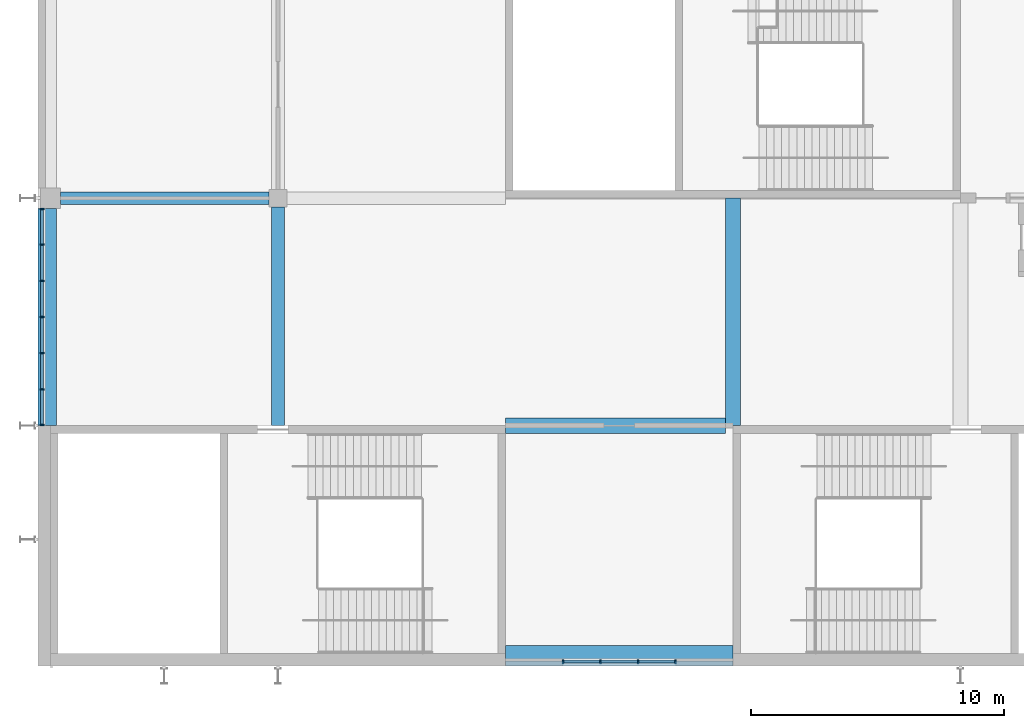
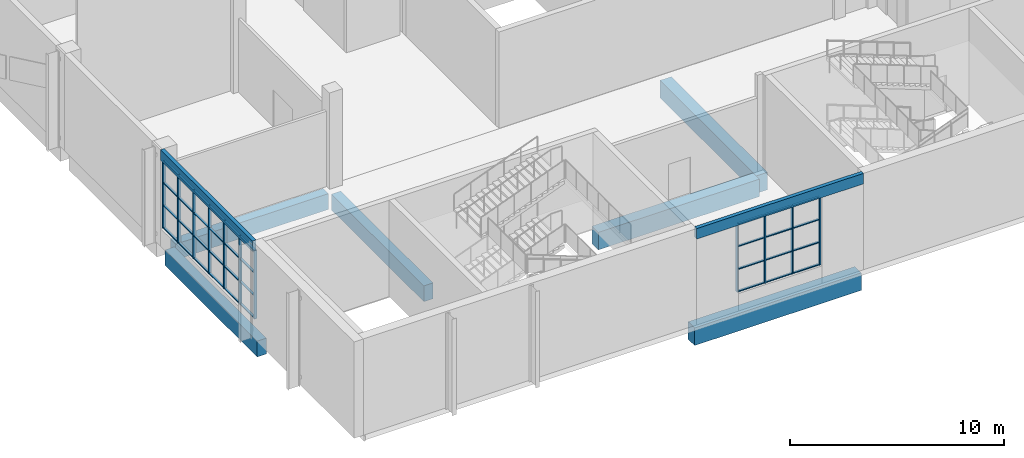
# One storey, part 2 of 84: 47 members, 8 beams, 2 elements without a shape of their own.
"""IFC4 building model written with IfcOpenShell, lengths in metres."""

from ifc_helpers import new_model, si_unit, direction, frame, origin, origin_2d, place, context, subcontext, project, spatial, rectangle, extrude, material, material_profile, profile_set, type_object, element, aggregate, save


model = new_model("IFC4")

# Units and contexts
model_context = context("Model", 3, precision=1e-05, world=origin(), true_north=direction((0.0, 1.0)))
body_context = subcontext(model_context, "Body", "Model", "MODEL_VIEW")
ifc_project = project(units=[si_unit("LENGTHUNIT", "METRE"), si_unit("AREAUNIT", "SQUARE_METRE"), si_unit("VOLUMEUNIT", "CUBIC_METRE"), si_unit("PLANEANGLEUNIT", "RADIAN"), si_unit("MASSUNIT", "GRAM", prefix="KILO")], contexts=[model_context])

# Site, building, storey
site_placement = place(None, origin())
site = spatial("IfcSite", under=ifc_project, at=site_placement, CompositionType="ELEMENT")
building_placement = place(site_placement, origin())
building = spatial("IfcBuilding", under=site, at=building_placement, Name="Silverbay Arena", CompositionType="ELEMENT")
storey_placement = place(building_placement, frame((0.0, 0.0, 28.0)))
storey = spatial("IfcBuildingStorey", under=building, at=storey_placement, Name="L04", CompositionType="ELEMENT", Elevation=28.0)

# Curtain wall, members
ifc_material_1 = material(Name="Aluminium framed curtain wall", Category="aluminium")
curtain_wall_type_1 = type_object("IfcCurtainWallType", Name="Curtain wall 4500 x 3900", PredefinedType="NOTDEFINED", material=ifc_material_1)
curtain_wall_1_placement = place(storey_placement, origin())
curtain_wall_1 = element("IfcCurtainWall", 1, at=curtain_wall_1_placement, inside=storey, type_object=curtain_wall_type_1, Name="South curtain wall L04 bay 3", PredefinedType="NOTDEFINED")
ifc_material_2 = material(Name="Aluminium", Category="aluminium")
ifc_material_profile_1 = material_profile(ifc_material_2, rectangle(XDim=0.159912109375, YDim=0.06005859375, at=origin_2d()), Name="Mullion 60 x 160")
ifc_profile_set_1 = profile_set([ifc_material_profile_1], Name="Aluminium")
member_type_1 = type_object("IfcMemberType", Name="Mullion 60 x 160", PredefinedType="MULLION", material=ifc_profile_set_1)
member_1_placement = place(storey_placement, frame((74.280029296875, 17.669921875, 1.0), z_axis=(0.0, 0.0, 1.0), x_axis=(0.0, 1.0, 0.0)))
member_1 = element("IfcMember", 2, at=member_1_placement, type_object=member_type_1, Name="CW15 mullion 1", PredefinedType="MULLION", context=body_context, shape_type="SweptSolid", body=[
    extrude(rectangle(XDim=0.159912109375, YDim=0.06005859375, at=origin_2d()), origin(), (0.0, 0.0, 1.0), 3.89990234375),
])
member_2_placement = place(storey_placement, frame((75.75, 17.669921875, 1.0), z_axis=(0.0, 0.0, 1.0), x_axis=(0.0, 1.0, 0.0)))
member_2 = element("IfcMember", 3, at=member_2_placement, type_object=member_type_1, Name="CW15 mullion 2", PredefinedType="MULLION", context=body_context, shape_type="SweptSolid", body=[
    extrude(rectangle(XDim=0.159912109375, YDim=0.06005859375, at=origin_2d()), origin(), (0.0, 0.0, 1.0), 3.89990234375),
])
member_3_placement = place(storey_placement, frame((77.25, 17.669921875, 1.0), z_axis=(0.0, 0.0, 1.0), x_axis=(0.0, 1.0, 0.0)))
member_3 = element("IfcMember", 4, at=member_3_placement, type_object=member_type_1, Name="CW15 mullion 3", PredefinedType="MULLION", context=body_context, shape_type="SweptSolid", body=[
    extrude(rectangle(XDim=0.159912109375, YDim=0.06005859375, at=origin_2d()), origin(), (0.0, 0.0, 1.0), 3.89990234375),
])
member_4_placement = place(storey_placement, frame((78.719970703125, 17.669921875, 1.0), z_axis=(0.0, 0.0, 1.0), x_axis=(0.0, 1.0, 0.0)))
member_4 = element("IfcMember", 5, at=member_4_placement, type_object=member_type_1, Name="CW15 mullion 4", PredefinedType="MULLION", context=body_context, shape_type="SweptSolid", body=[
    extrude(rectangle(XDim=0.159912109375, YDim=0.06005859375, at=origin_2d()), origin(), (0.0, 0.0, 1.0), 3.89990234375),
])

ifc_material_3 = material(Name="Aluminium framed curtain wall", Category="aluminium")
curtain_wall_type_2 = type_object("IfcCurtainWallType", Name="Curtain wall 8600 x 3900", PredefinedType="NOTDEFINED", material=ifc_material_3)
curtain_wall_2_placement = place(storey_placement, origin())
curtain_wall_2 = element("IfcCurtainWall", 6, at=curtain_wall_2_placement, inside=storey, type_object=curtain_wall_type_2, Name="West curtain wall L04 bay 2", PredefinedType="NOTDEFINED")
member_5_placement = place(storey_placement, frame((53.669921875, 35.570068359375, 1.0), z_axis=(0.0, 0.0, 1.0), x_axis=(1.0, 0.0, 0.0)))
member_5 = element("IfcMember", 7, at=member_5_placement, type_object=member_type_1, Name="CW1 mullion 1", PredefinedType="MULLION", context=body_context, shape_type="SweptSolid", body=[
    extrude(rectangle(XDim=0.159912109375, YDim=0.06005859375, at=origin_2d()), origin(), (0.0, 0.0, 1.0), 3.89990234375),
])
member_6_placement = place(storey_placement, frame((53.669921875, 34.166748046875, 1.0), z_axis=(0.0, 0.0, 1.0), x_axis=(1.0, 0.0, 0.0)))
member_6 = element("IfcMember", 8, at=member_6_placement, type_object=member_type_1, Name="CW1 mullion 2", PredefinedType="MULLION", context=body_context, shape_type="SweptSolid", body=[
    extrude(rectangle(XDim=0.159912109375, YDim=0.06005859375, at=origin_2d()), origin(), (0.0, 0.0, 1.0), 3.89990234375),
])
member_7_placement = place(storey_placement, frame((53.669921875, 32.7333984375, 1.0), z_axis=(0.0, 0.0, 1.0), x_axis=(1.0, 0.0, 0.0)))
member_7 = element("IfcMember", 9, at=member_7_placement, type_object=member_type_1, Name="CW1 mullion 3", PredefinedType="MULLION", context=body_context, shape_type="SweptSolid", body=[
    extrude(rectangle(XDim=0.159912109375, YDim=0.06005859375, at=origin_2d()), origin(), (0.0, 0.0, 1.0), 3.89990234375),
])
member_8_placement = place(storey_placement, frame((53.669921875, 31.300048828125, 1.0), z_axis=(0.0, 0.0, 1.0), x_axis=(1.0, 0.0, 0.0)))
member_8 = element("IfcMember", 10, at=member_8_placement, type_object=member_type_1, Name="CW1 mullion 4", PredefinedType="MULLION", context=body_context, shape_type="SweptSolid", body=[
    extrude(rectangle(XDim=0.159912109375, YDim=0.06005859375, at=origin_2d()), origin(), (0.0, 0.0, 1.0), 3.89990234375),
])
member_9_placement = place(storey_placement, frame((53.669921875, 29.86669921875, 1.0), z_axis=(0.0, 0.0, 1.0), x_axis=(1.0, 0.0, 0.0)))
member_9 = element("IfcMember", 11, at=member_9_placement, type_object=member_type_1, Name="CW1 mullion 5", PredefinedType="MULLION", context=body_context, shape_type="SweptSolid", body=[
    extrude(rectangle(XDim=0.159912109375, YDim=0.06005859375, at=origin_2d()), origin(), (0.0, 0.0, 1.0), 3.89990234375),
])
member_10_placement = place(storey_placement, frame((53.669921875, 28.433349609375, 1.0), z_axis=(0.0, 0.0, 1.0), x_axis=(1.0, 0.0, 0.0)))
member_10 = element("IfcMember", 12, at=member_10_placement, type_object=member_type_1, Name="CW1 mullion 6", PredefinedType="MULLION", context=body_context, shape_type="SweptSolid", body=[
    extrude(rectangle(XDim=0.159912109375, YDim=0.06005859375, at=origin_2d()), origin(), (0.0, 0.0, 1.0), 3.89990234375),
])
member_11_placement = place(storey_placement, frame((53.669921875, 27.030029296875, 1.0), z_axis=(0.0, 0.0, 1.0), x_axis=(1.0, 0.0, 0.0)))
member_11 = element("IfcMember", 13, at=member_11_placement, type_object=member_type_1, Name="CW1 mullion 7", PredefinedType="MULLION", context=body_context, shape_type="SweptSolid", body=[
    extrude(rectangle(XDim=0.159912109375, YDim=0.06005859375, at=origin_2d()), origin(), (0.0, 0.0, 1.0), 3.89990234375),
])

# Beams
ifc_material_4 = material(Name="Concrete Grade C45", Category="concrete")
ifc_material_profile_2 = material_profile(ifc_material_4, rectangle(XDim=0.5, YDim=0.89990234375, at=origin_2d()), Name="RC 500x900")
ifc_profile_set_2 = profile_set([ifc_material_profile_2], Name="Concrete Grade C45")
beam_type_1 = type_object("IfcBeamType", Name="RC beam 500x900", PredefinedType="BEAM", material=ifc_profile_set_2)
beam_1_placement = place(storey_placement, frame((54.39990234375, 36.0, -0.75), z_axis=(1.0, 0.0, 0.0), x_axis=(0.0, 1.0, 0.0)))
element("IfcBeam", 14, at=beam_1_placement, inside=storey, type_object=beam_type_1, Name="Floor beam L04 011", PredefinedType="BEAM", context=body_context, shape_type="SweptSolid", body=[
    extrude(rectangle(XDim=0.5, YDim=0.89990234375, at=origin_2d()), origin(), (0.0, 0.0, 1.0), 8.25),
])
beam_2_placement = place(storey_placement, frame((54.0, 27.0, -0.75), z_axis=(0.0, 1.0, 0.0), x_axis=(-1.0, 0.0, 0.0)))
element("IfcBeam", 15, at=beam_2_placement, inside=storey, type_object=beam_type_1, Name="Floor beam L04 077", PredefinedType="BEAM", context=body_context, shape_type="SweptSolid", body=[
    extrude(rectangle(XDim=0.5, YDim=0.89990234375, at=origin_2d()), origin(), (0.0, 0.0, 1.0), 8.60009765625),
])
beam_3_placement = place(storey_placement, frame((63.0, 27.0, -0.75), z_axis=(0.0, 1.0, 0.0), x_axis=(-1.0, 0.0, 0.0)))
element("IfcBeam", 16, at=beam_3_placement, inside=storey, type_object=beam_type_1, Name="Floor beam L04 085", PredefinedType="BEAM", context=body_context, shape_type="SweptSolid", body=[
    extrude(rectangle(XDim=0.5, YDim=0.89990234375, at=origin_2d()), origin(), (0.0, 0.0, 1.0), 8.64990234375),
])
ifc_material_5 = material(Name="Concrete Grade C45", Category="concrete")
ifc_material_profile_3 = material_profile(ifc_material_5, rectangle(XDim=0.60009765625, YDim=1.0, at=origin_2d()), Name="RC 600x1000")
ifc_profile_set_3 = profile_set([ifc_material_profile_3], Name="Concrete Grade C45")
beam_type_2 = type_object("IfcBeamType", Name="RC beam 600x1000", PredefinedType="BEAM", material=ifc_profile_set_3)
beam_4_placement = place(storey_placement, frame((72.0, 18.0, -0.800048828125), z_axis=(1.0, 0.0, 0.0), x_axis=(0.0, 1.0, 0.0)))
element("IfcBeam", 17, at=beam_4_placement, inside=storey, type_object=beam_type_2, Name="Floor beam L04 001", PredefinedType="BEAM", context=body_context, shape_type="SweptSolid", body=[
    extrude(rectangle(XDim=0.60009765625, YDim=1.0, at=origin_2d()), origin(), (0.0, 0.0, 1.0), 9.0),
])
beam_5_placement = place(storey_placement, frame((72.0, 27.0, -0.800048828125), z_axis=(1.0, 0.0, 0.0), x_axis=(0.0, 1.0, 0.0)))
element("IfcBeam", 18, at=beam_5_placement, inside=storey, type_object=beam_type_2, Name="Floor beam L04 006", PredefinedType="BEAM", context=body_context, shape_type="SweptSolid", body=[
    extrude(rectangle(XDim=0.60009765625, YDim=1.0, at=origin_2d()), origin(), (0.0, 0.0, 1.0), 8.699951171875),
])
beam_6_placement = place(storey_placement, frame((81.0, 27.0, -0.800048828125), z_axis=(0.0, 1.0, 0.0), x_axis=(-1.0, 0.0, 0.0)))
element("IfcBeam", 19, at=beam_6_placement, inside=storey, type_object=beam_type_2, Name="Floor beam L04 093", PredefinedType="BEAM", context=body_context, shape_type="SweptSolid", body=[
    extrude(rectangle(XDim=0.60009765625, YDim=1.0, at=origin_2d()), origin(), (0.0, 0.0, 1.0), 9.0),
])
ifc_material_6 = material(Name="Concrete Grade C45", Category="concrete")
ifc_material_profile_4 = material_profile(ifc_material_6, rectangle(XDim=0.199951171875, YDim=0.60009765625, at=origin_2d()), Name="RC 200x600")
ifc_profile_set_4 = profile_set([ifc_material_profile_4], Name="Concrete Grade C45")
beam_type_3 = type_object("IfcBeamType", Name="RC facade beam 200x600", PredefinedType="SPANDREL", material=ifc_profile_set_4)
beam_7_placement = place(storey_placement, frame((72.0, 17.60009765625, 5.199951171875), z_axis=(1.0, 0.0, 0.0), x_axis=(0.0, 1.0, 0.0)))
element("IfcBeam", 20, at=beam_7_placement, inside=storey, type_object=beam_type_3, Name="Facade beam L04 south", PredefinedType="SPANDREL", context=body_context, shape_type="SweptSolid", body=[
    extrude(rectangle(XDim=0.199951171875, YDim=0.60009765625, at=origin_2d()), origin(), (0.0, 0.0, 1.0), 9.0),
])
beam_8_placement = place(storey_placement, frame((53.60009765625, 27.0, 5.199951171875), z_axis=(0.0, 1.0, 0.0), x_axis=(-1.0, 0.0, 0.0)))
element("IfcBeam", 21, at=beam_8_placement, inside=storey, type_object=beam_type_3, Name="Facade beam L04 west", PredefinedType="SPANDREL", context=body_context, shape_type="SweptSolid", body=[
    extrude(rectangle(XDim=0.199951171875, YDim=0.60009765625, at=origin_2d()), origin(), (0.0, 0.0, 1.0), 8.60009765625),
])

# Member
ifc_material_7 = material(Name="Aluminium", Category="aluminium")
ifc_material_profile_5 = material_profile(ifc_material_7, rectangle(XDim=0.1201171875, YDim=0.050048828125, at=origin_2d()), Name="Transom 50 x 120")
ifc_profile_set_5 = profile_set([ifc_material_profile_5], Name="Aluminium")
member_type_2 = type_object("IfcMemberType", Name="Transom 50 x 120", PredefinedType="USERDEFINED", material=ifc_profile_set_5)
member_12_placement = place(storey_placement, frame((74.31005859375, 17.669921875, 1.02490234375), z_axis=(1.0, 0.0, 0.0), x_axis=(0.0, 1.0, 0.0)))
member_12 = element("IfcMember", 22, at=member_12_placement, type_object=member_type_2, Name="CW15 transom 1.1", ObjectType="TRANSOM", PredefinedType="USERDEFINED", context=body_context, shape_type="SweptSolid", body=[
    extrude(rectangle(XDim=0.1201171875, YDim=0.050048828125, at=origin_2d()), origin(), (0.0, 0.0, 1.0), 1.409912109375),
])

member_13_placement = place(storey_placement, frame((74.31005859375, 17.669921875, 2.300048828125), z_axis=(1.0, 0.0, 0.0), x_axis=(0.0, 1.0, 0.0)))
member_13 = element("IfcMember", 23, at=member_13_placement, type_object=member_type_2, Name="CW15 transom 1.2", ObjectType="TRANSOM", PredefinedType="USERDEFINED", context=body_context, shape_type="SweptSolid", body=[
    extrude(rectangle(XDim=0.1201171875, YDim=0.050048828125, at=origin_2d()), origin(), (0.0, 0.0, 1.0), 1.409912109375),
])

member_14_placement = place(storey_placement, frame((74.31005859375, 17.669921875, 3.60009765625), z_axis=(1.0, 0.0, 0.0), x_axis=(0.0, 1.0, 0.0)))
member_14 = element("IfcMember", 24, at=member_14_placement, type_object=member_type_2, Name="CW15 transom 1.3", ObjectType="TRANSOM", PredefinedType="USERDEFINED", context=body_context, shape_type="SweptSolid", body=[
    extrude(rectangle(XDim=0.1201171875, YDim=0.050048828125, at=origin_2d()), origin(), (0.0, 0.0, 1.0), 1.409912109375),
])

member_15_placement = place(storey_placement, frame((74.31005859375, 17.669921875, 4.875), z_axis=(1.0, 0.0, 0.0), x_axis=(0.0, 1.0, 0.0)))
member_15 = element("IfcMember", 25, at=member_15_placement, type_object=member_type_2, Name="CW15 transom 1.4", ObjectType="TRANSOM", PredefinedType="USERDEFINED", context=body_context, shape_type="SweptSolid", body=[
    extrude(rectangle(XDim=0.1201171875, YDim=0.050048828125, at=origin_2d()), origin(), (0.0, 0.0, 1.0), 1.409912109375),
])

member_16_placement = place(storey_placement, frame((75.780029296875, 17.669921875, 1.02490234375), z_axis=(1.0, 0.0, 0.0), x_axis=(0.0, 1.0, 0.0)))
member_16 = element("IfcMember", 26, at=member_16_placement, type_object=member_type_2, Name="CW15 transom 2.1", ObjectType="TRANSOM", PredefinedType="USERDEFINED", context=body_context, shape_type="SweptSolid", body=[
    extrude(rectangle(XDim=0.1201171875, YDim=0.050048828125, at=origin_2d()), origin(), (0.0, 0.0, 1.0), 1.43994140625),
])

member_17_placement = place(storey_placement, frame((75.780029296875, 17.669921875, 2.300048828125), z_axis=(1.0, 0.0, 0.0), x_axis=(0.0, 1.0, 0.0)))
member_17 = element("IfcMember", 27, at=member_17_placement, type_object=member_type_2, Name="CW15 transom 2.2", ObjectType="TRANSOM", PredefinedType="USERDEFINED", context=body_context, shape_type="SweptSolid", body=[
    extrude(rectangle(XDim=0.1201171875, YDim=0.050048828125, at=origin_2d()), origin(), (0.0, 0.0, 1.0), 1.43994140625),
])

member_18_placement = place(storey_placement, frame((75.780029296875, 17.669921875, 3.60009765625), z_axis=(1.0, 0.0, 0.0), x_axis=(0.0, 1.0, 0.0)))
member_18 = element("IfcMember", 28, at=member_18_placement, type_object=member_type_2, Name="CW15 transom 2.3", ObjectType="TRANSOM", PredefinedType="USERDEFINED", context=body_context, shape_type="SweptSolid", body=[
    extrude(rectangle(XDim=0.1201171875, YDim=0.050048828125, at=origin_2d()), origin(), (0.0, 0.0, 1.0), 1.43994140625),
])

member_19_placement = place(storey_placement, frame((75.780029296875, 17.669921875, 4.875), z_axis=(1.0, 0.0, 0.0), x_axis=(0.0, 1.0, 0.0)))
member_19 = element("IfcMember", 29, at=member_19_placement, type_object=member_type_2, Name="CW15 transom 2.4", ObjectType="TRANSOM", PredefinedType="USERDEFINED", context=body_context, shape_type="SweptSolid", body=[
    extrude(rectangle(XDim=0.1201171875, YDim=0.050048828125, at=origin_2d()), origin(), (0.0, 0.0, 1.0), 1.43994140625),
])

member_20_placement = place(storey_placement, frame((77.280029296875, 17.669921875, 1.02490234375), z_axis=(1.0, 0.0, 0.0), x_axis=(0.0, 1.0, 0.0)))
member_20 = element("IfcMember", 30, at=member_20_placement, type_object=member_type_2, Name="CW15 transom 3.1", ObjectType="TRANSOM", PredefinedType="USERDEFINED", context=body_context, shape_type="SweptSolid", body=[
    extrude(rectangle(XDim=0.1201171875, YDim=0.050048828125, at=origin_2d()), origin(), (0.0, 0.0, 1.0), 1.409912109375),
])

member_21_placement = place(storey_placement, frame((77.280029296875, 17.669921875, 2.300048828125), z_axis=(1.0, 0.0, 0.0), x_axis=(0.0, 1.0, 0.0)))
member_21 = element("IfcMember", 31, at=member_21_placement, type_object=member_type_2, Name="CW15 transom 3.2", ObjectType="TRANSOM", PredefinedType="USERDEFINED", context=body_context, shape_type="SweptSolid", body=[
    extrude(rectangle(XDim=0.1201171875, YDim=0.050048828125, at=origin_2d()), origin(), (0.0, 0.0, 1.0), 1.409912109375),
])

member_22_placement = place(storey_placement, frame((77.280029296875, 17.669921875, 3.60009765625), z_axis=(1.0, 0.0, 0.0), x_axis=(0.0, 1.0, 0.0)))
member_22 = element("IfcMember", 32, at=member_22_placement, type_object=member_type_2, Name="CW15 transom 3.3", ObjectType="TRANSOM", PredefinedType="USERDEFINED", context=body_context, shape_type="SweptSolid", body=[
    extrude(rectangle(XDim=0.1201171875, YDim=0.050048828125, at=origin_2d()), origin(), (0.0, 0.0, 1.0), 1.409912109375),
])

member_23_placement = place(storey_placement, frame((77.280029296875, 17.669921875, 4.875), z_axis=(1.0, 0.0, 0.0), x_axis=(0.0, 1.0, 0.0)))
member_23 = element("IfcMember", 33, at=member_23_placement, type_object=member_type_2, Name="CW15 transom 3.4", ObjectType="TRANSOM", PredefinedType="USERDEFINED", context=body_context, shape_type="SweptSolid", body=[
    extrude(rectangle(XDim=0.1201171875, YDim=0.050048828125, at=origin_2d()), origin(), (0.0, 0.0, 1.0), 1.409912109375),
])

aggregate(curtain_wall_1, [member_1, member_2, member_3, member_4, member_12, member_13, member_14, member_15, member_16, member_17, member_18, member_19, member_20, member_21, member_22, member_23])

member_24_placement = place(storey_placement, frame((53.669921875, 35.5400390625, 1.02490234375), z_axis=(0.0, -1.0, 0.0), x_axis=(1.0, 0.0, 0.0)))
member_24 = element("IfcMember", 34, at=member_24_placement, type_object=member_type_2, Name="CW1 transom 1.1", ObjectType="TRANSOM", PredefinedType="USERDEFINED", context=body_context, shape_type="SweptSolid", body=[
    extrude(rectangle(XDim=0.1201171875, YDim=0.050048828125, at=origin_2d()), origin(), (0.0, 0.0, 1.0), 1.34326171875),
])

member_25_placement = place(storey_placement, frame((53.669921875, 35.5400390625, 2.300048828125), z_axis=(0.0, -1.0, 0.0), x_axis=(1.0, 0.0, 0.0)))
member_25 = element("IfcMember", 35, at=member_25_placement, type_object=member_type_2, Name="CW1 transom 1.2", ObjectType="TRANSOM", PredefinedType="USERDEFINED", context=body_context, shape_type="SweptSolid", body=[
    extrude(rectangle(XDim=0.1201171875, YDim=0.050048828125, at=origin_2d()), origin(), (0.0, 0.0, 1.0), 1.34326171875),
])

member_26_placement = place(storey_placement, frame((53.669921875, 35.5400390625, 3.60009765625), z_axis=(0.0, -1.0, 0.0), x_axis=(1.0, 0.0, 0.0)))
member_26 = element("IfcMember", 36, at=member_26_placement, type_object=member_type_2, Name="CW1 transom 1.3", ObjectType="TRANSOM", PredefinedType="USERDEFINED", context=body_context, shape_type="SweptSolid", body=[
    extrude(rectangle(XDim=0.1201171875, YDim=0.050048828125, at=origin_2d()), origin(), (0.0, 0.0, 1.0), 1.34326171875),
])

member_27_placement = place(storey_placement, frame((53.669921875, 35.5400390625, 4.875), z_axis=(0.0, -1.0, 0.0), x_axis=(1.0, 0.0, 0.0)))
member_27 = element("IfcMember", 37, at=member_27_placement, type_object=member_type_2, Name="CW1 transom 1.4", ObjectType="TRANSOM", PredefinedType="USERDEFINED", context=body_context, shape_type="SweptSolid", body=[
    extrude(rectangle(XDim=0.1201171875, YDim=0.050048828125, at=origin_2d()), origin(), (0.0, 0.0, 1.0), 1.34326171875),
])

member_28_placement = place(storey_placement, frame((53.669921875, 34.13671875, 1.02490234375), z_axis=(0.0, -1.0, 0.0), x_axis=(1.0, 0.0, 0.0)))
member_28 = element("IfcMember", 38, at=member_28_placement, type_object=member_type_2, Name="CW1 transom 2.1", ObjectType="TRANSOM", PredefinedType="USERDEFINED", context=body_context, shape_type="SweptSolid", body=[
    extrude(rectangle(XDim=0.1201171875, YDim=0.050048828125, at=origin_2d()), origin(), (0.0, 0.0, 1.0), 1.373291015625),
])

member_29_placement = place(storey_placement, frame((53.669921875, 34.13671875, 2.300048828125), z_axis=(0.0, -1.0, 0.0), x_axis=(1.0, 0.0, 0.0)))
member_29 = element("IfcMember", 39, at=member_29_placement, type_object=member_type_2, Name="CW1 transom 2.2", ObjectType="TRANSOM", PredefinedType="USERDEFINED", context=body_context, shape_type="SweptSolid", body=[
    extrude(rectangle(XDim=0.1201171875, YDim=0.050048828125, at=origin_2d()), origin(), (0.0, 0.0, 1.0), 1.373291015625),
])

member_30_placement = place(storey_placement, frame((53.669921875, 34.13671875, 3.60009765625), z_axis=(0.0, -1.0, 0.0), x_axis=(1.0, 0.0, 0.0)))
member_30 = element("IfcMember", 40, at=member_30_placement, type_object=member_type_2, Name="CW1 transom 2.3", ObjectType="TRANSOM", PredefinedType="USERDEFINED", context=body_context, shape_type="SweptSolid", body=[
    extrude(rectangle(XDim=0.1201171875, YDim=0.050048828125, at=origin_2d()), origin(), (0.0, 0.0, 1.0), 1.373291015625),
])

member_31_placement = place(storey_placement, frame((53.669921875, 34.13671875, 4.875), z_axis=(0.0, -1.0, 0.0), x_axis=(1.0, 0.0, 0.0)))
member_31 = element("IfcMember", 41, at=member_31_placement, type_object=member_type_2, Name="CW1 transom 2.4", ObjectType="TRANSOM", PredefinedType="USERDEFINED", context=body_context, shape_type="SweptSolid", body=[
    extrude(rectangle(XDim=0.1201171875, YDim=0.050048828125, at=origin_2d()), origin(), (0.0, 0.0, 1.0), 1.373291015625),
])

member_32_placement = place(storey_placement, frame((53.669921875, 32.703369140625, 1.02490234375), z_axis=(0.0, -1.0, 0.0), x_axis=(1.0, 0.0, 0.0)))
member_32 = element("IfcMember", 42, at=member_32_placement, type_object=member_type_2, Name="CW1 transom 3.1", ObjectType="TRANSOM", PredefinedType="USERDEFINED", context=body_context, shape_type="SweptSolid", body=[
    extrude(rectangle(XDim=0.1201171875, YDim=0.050048828125, at=origin_2d()), origin(), (0.0, 0.0, 1.0), 1.373291015625),
])

member_33_placement = place(storey_placement, frame((53.669921875, 32.703369140625, 2.300048828125), z_axis=(0.0, -1.0, 0.0), x_axis=(1.0, 0.0, 0.0)))
member_33 = element("IfcMember", 43, at=member_33_placement, type_object=member_type_2, Name="CW1 transom 3.2", ObjectType="TRANSOM", PredefinedType="USERDEFINED", context=body_context, shape_type="SweptSolid", body=[
    extrude(rectangle(XDim=0.1201171875, YDim=0.050048828125, at=origin_2d()), origin(), (0.0, 0.0, 1.0), 1.373291015625),
])

member_34_placement = place(storey_placement, frame((53.669921875, 32.703369140625, 3.60009765625), z_axis=(0.0, -1.0, 0.0), x_axis=(1.0, 0.0, 0.0)))
member_34 = element("IfcMember", 44, at=member_34_placement, type_object=member_type_2, Name="CW1 transom 3.3", ObjectType="TRANSOM", PredefinedType="USERDEFINED", context=body_context, shape_type="SweptSolid", body=[
    extrude(rectangle(XDim=0.1201171875, YDim=0.050048828125, at=origin_2d()), origin(), (0.0, 0.0, 1.0), 1.373291015625),
])

member_35_placement = place(storey_placement, frame((53.669921875, 32.703369140625, 4.875), z_axis=(0.0, -1.0, 0.0), x_axis=(1.0, 0.0, 0.0)))
member_35 = element("IfcMember", 45, at=member_35_placement, type_object=member_type_2, Name="CW1 transom 3.4", ObjectType="TRANSOM", PredefinedType="USERDEFINED", context=body_context, shape_type="SweptSolid", body=[
    extrude(rectangle(XDim=0.1201171875, YDim=0.050048828125, at=origin_2d()), origin(), (0.0, 0.0, 1.0), 1.373291015625),
])

member_36_placement = place(storey_placement, frame((53.669921875, 31.27001953125, 1.02490234375), z_axis=(0.0, -1.0, 0.0), x_axis=(1.0, 0.0, 0.0)))
member_36 = element("IfcMember", 46, at=member_36_placement, type_object=member_type_2, Name="CW1 transom 4.1", ObjectType="TRANSOM", PredefinedType="USERDEFINED", context=body_context, shape_type="SweptSolid", body=[
    extrude(rectangle(XDim=0.1201171875, YDim=0.050048828125, at=origin_2d()), origin(), (0.0, 0.0, 1.0), 1.373291015625),
])

member_37_placement = place(storey_placement, frame((53.669921875, 31.27001953125, 2.300048828125), z_axis=(0.0, -1.0, 0.0), x_axis=(1.0, 0.0, 0.0)))
member_37 = element("IfcMember", 47, at=member_37_placement, type_object=member_type_2, Name="CW1 transom 4.2", ObjectType="TRANSOM", PredefinedType="USERDEFINED", context=body_context, shape_type="SweptSolid", body=[
    extrude(rectangle(XDim=0.1201171875, YDim=0.050048828125, at=origin_2d()), origin(), (0.0, 0.0, 1.0), 1.373291015625),
])

member_38_placement = place(storey_placement, frame((53.669921875, 31.27001953125, 3.60009765625), z_axis=(0.0, -1.0, 0.0), x_axis=(1.0, 0.0, 0.0)))
member_38 = element("IfcMember", 48, at=member_38_placement, type_object=member_type_2, Name="CW1 transom 4.3", ObjectType="TRANSOM", PredefinedType="USERDEFINED", context=body_context, shape_type="SweptSolid", body=[
    extrude(rectangle(XDim=0.1201171875, YDim=0.050048828125, at=origin_2d()), origin(), (0.0, 0.0, 1.0), 1.373291015625),
])

member_39_placement = place(storey_placement, frame((53.669921875, 31.27001953125, 4.875), z_axis=(0.0, -1.0, 0.0), x_axis=(1.0, 0.0, 0.0)))
member_39 = element("IfcMember", 49, at=member_39_placement, type_object=member_type_2, Name="CW1 transom 4.4", ObjectType="TRANSOM", PredefinedType="USERDEFINED", context=body_context, shape_type="SweptSolid", body=[
    extrude(rectangle(XDim=0.1201171875, YDim=0.050048828125, at=origin_2d()), origin(), (0.0, 0.0, 1.0), 1.373291015625),
])

member_40_placement = place(storey_placement, frame((53.669921875, 29.836669921875, 1.02490234375), z_axis=(0.0, -1.0, 0.0), x_axis=(1.0, 0.0, 0.0)))
member_40 = element("IfcMember", 50, at=member_40_placement, type_object=member_type_2, Name="CW1 transom 5.1", ObjectType="TRANSOM", PredefinedType="USERDEFINED", context=body_context, shape_type="SweptSolid", body=[
    extrude(rectangle(XDim=0.1201171875, YDim=0.050048828125, at=origin_2d()), origin(), (0.0, 0.0, 1.0), 1.373291015625),
])

member_41_placement = place(storey_placement, frame((53.669921875, 29.836669921875, 2.300048828125), z_axis=(0.0, -1.0, 0.0), x_axis=(1.0, 0.0, 0.0)))
member_41 = element("IfcMember", 51, at=member_41_placement, type_object=member_type_2, Name="CW1 transom 5.2", ObjectType="TRANSOM", PredefinedType="USERDEFINED", context=body_context, shape_type="SweptSolid", body=[
    extrude(rectangle(XDim=0.1201171875, YDim=0.050048828125, at=origin_2d()), origin(), (0.0, 0.0, 1.0), 1.373291015625),
])

member_42_placement = place(storey_placement, frame((53.669921875, 29.836669921875, 3.60009765625), z_axis=(0.0, -1.0, 0.0), x_axis=(1.0, 0.0, 0.0)))
member_42 = element("IfcMember", 52, at=member_42_placement, type_object=member_type_2, Name="CW1 transom 5.3", ObjectType="TRANSOM", PredefinedType="USERDEFINED", context=body_context, shape_type="SweptSolid", body=[
    extrude(rectangle(XDim=0.1201171875, YDim=0.050048828125, at=origin_2d()), origin(), (0.0, 0.0, 1.0), 1.373291015625),
])

member_43_placement = place(storey_placement, frame((53.669921875, 29.836669921875, 4.875), z_axis=(0.0, -1.0, 0.0), x_axis=(1.0, 0.0, 0.0)))
member_43 = element("IfcMember", 53, at=member_43_placement, type_object=member_type_2, Name="CW1 transom 5.4", ObjectType="TRANSOM", PredefinedType="USERDEFINED", context=body_context, shape_type="SweptSolid", body=[
    extrude(rectangle(XDim=0.1201171875, YDim=0.050048828125, at=origin_2d()), origin(), (0.0, 0.0, 1.0), 1.373291015625),
])

member_44_placement = place(storey_placement, frame((53.669921875, 28.4033203125, 1.02490234375), z_axis=(0.0, -1.0, 0.0), x_axis=(1.0, 0.0, 0.0)))
member_44 = element("IfcMember", 54, at=member_44_placement, type_object=member_type_2, Name="CW1 transom 6.1", ObjectType="TRANSOM", PredefinedType="USERDEFINED", context=body_context, shape_type="SweptSolid", body=[
    extrude(rectangle(XDim=0.1201171875, YDim=0.050048828125, at=origin_2d()), origin(), (0.0, 0.0, 1.0), 1.34326171875),
])

member_45_placement = place(storey_placement, frame((53.669921875, 28.4033203125, 2.300048828125), z_axis=(0.0, -1.0, 0.0), x_axis=(1.0, 0.0, 0.0)))
member_45 = element("IfcMember", 55, at=member_45_placement, type_object=member_type_2, Name="CW1 transom 6.2", ObjectType="TRANSOM", PredefinedType="USERDEFINED", context=body_context, shape_type="SweptSolid", body=[
    extrude(rectangle(XDim=0.1201171875, YDim=0.050048828125, at=origin_2d()), origin(), (0.0, 0.0, 1.0), 1.34326171875),
])

member_46_placement = place(storey_placement, frame((53.669921875, 28.4033203125, 3.60009765625), z_axis=(0.0, -1.0, 0.0), x_axis=(1.0, 0.0, 0.0)))
member_46 = element("IfcMember", 56, at=member_46_placement, type_object=member_type_2, Name="CW1 transom 6.3", ObjectType="TRANSOM", PredefinedType="USERDEFINED", context=body_context, shape_type="SweptSolid", body=[
    extrude(rectangle(XDim=0.1201171875, YDim=0.050048828125, at=origin_2d()), origin(), (0.0, 0.0, 1.0), 1.34326171875),
])

member_47_placement = place(storey_placement, frame((53.669921875, 28.4033203125, 4.875), z_axis=(0.0, -1.0, 0.0), x_axis=(1.0, 0.0, 0.0)))
member_47 = element("IfcMember", 57, at=member_47_placement, type_object=member_type_2, Name="CW1 transom 6.4", ObjectType="TRANSOM", PredefinedType="USERDEFINED", context=body_context, shape_type="SweptSolid", body=[
    extrude(rectangle(XDim=0.1201171875, YDim=0.050048828125, at=origin_2d()), origin(), (0.0, 0.0, 1.0), 1.34326171875),
])

aggregate(curtain_wall_2, [member_5, member_6, member_7, member_8, member_9, member_10, member_11, member_24, member_25, member_26, member_27, member_28, member_29, member_30, member_31, member_32, member_33, member_34, member_35, member_36, member_37, member_38, member_39, member_40, member_41, member_42, member_43, member_44, member_45, member_46, member_47])

save(model, "model.ifc")
